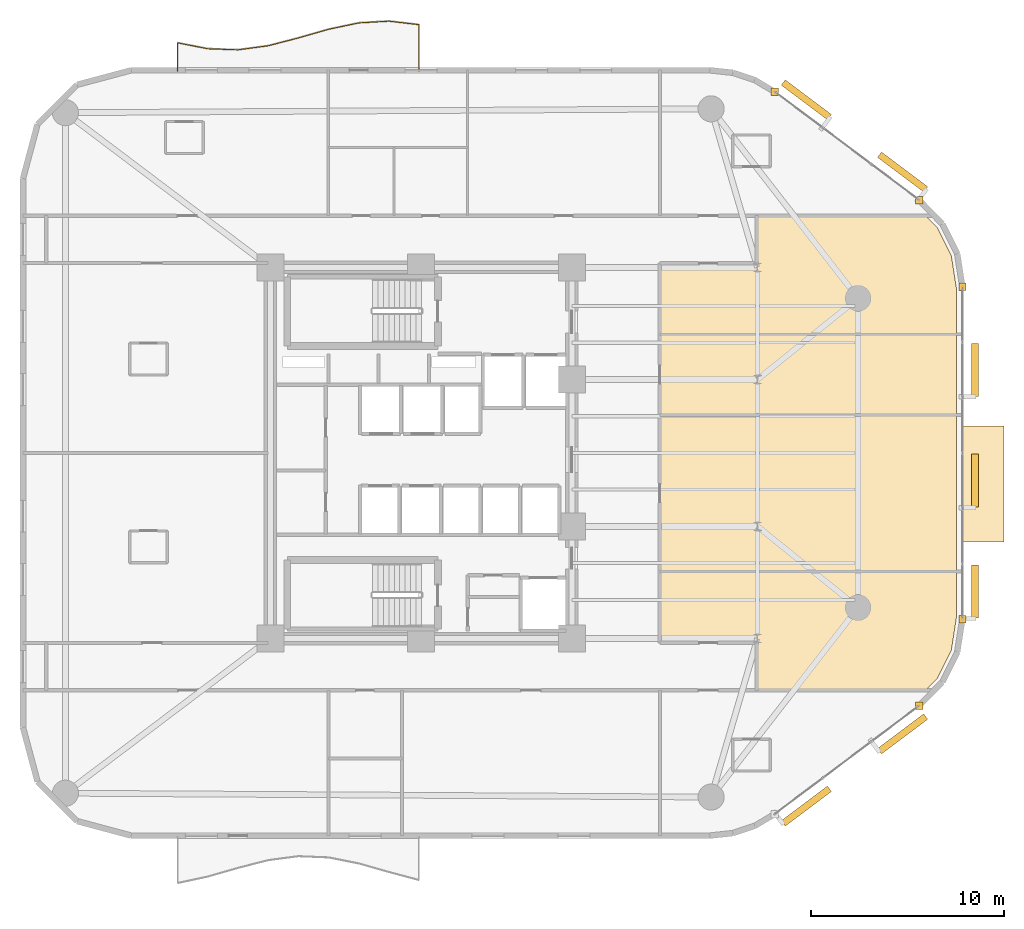
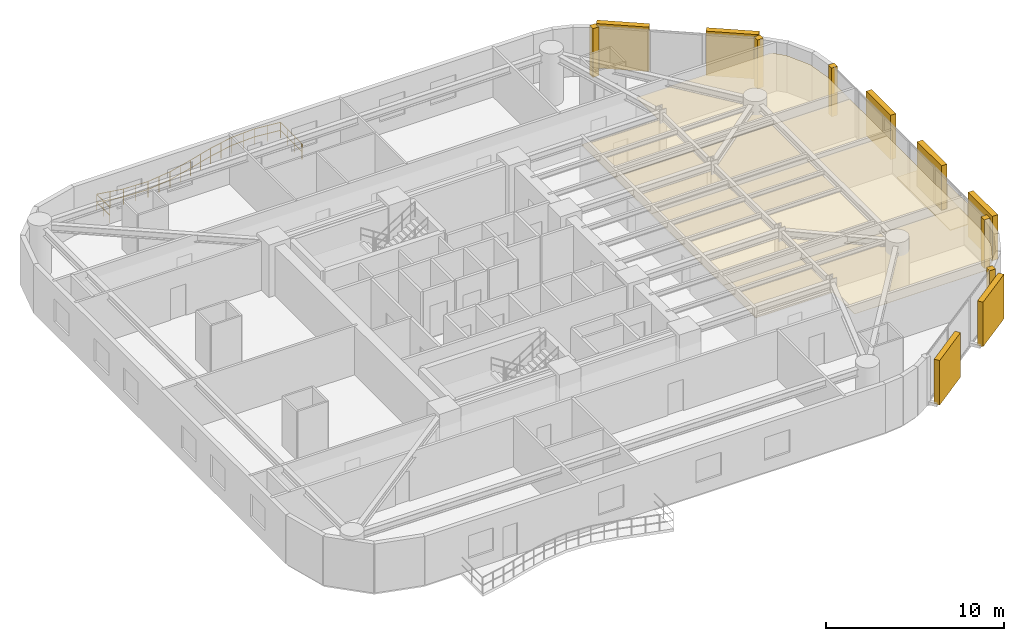
# One storey, part 15 of 15: 10 coverings, 7 shading devices, 1 railing.
"""IFC4 building model written with IfcOpenShell, lengths in metres."""

from ifc_helpers import new_model, si_unit, direction, frame, origin, origin_2d, place, context, subcontext, project, spatial, polyline, rectangle, circle, outline, extrude, material, layer, layer_set, type_object, element, save


model = new_model("IFC4")

# Units and contexts
model_context = context("Model", 3, precision=1e-05, world=origin(), true_north=direction((0.0, 1.0)))
body_context = subcontext(model_context, "Body", "Model", "MODEL_VIEW")
ifc_project = project(units=[si_unit("LENGTHUNIT", "METRE"), si_unit("AREAUNIT", "SQUARE_METRE"), si_unit("VOLUMEUNIT", "CUBIC_METRE"), si_unit("PLANEANGLEUNIT", "RADIAN"), si_unit("MASSUNIT", "GRAM", prefix="KILO")], contexts=[model_context])

# Site, building, storey
site_placement = place(None, origin())
site = spatial("IfcSite", under=ifc_project, at=site_placement, CompositionType="ELEMENT")
building_placement = place(site_placement, origin())
building = spatial("IfcBuilding", under=site, at=building_placement, Name="An Khanh Terracotta Commons", CompositionType="ELEMENT")
storey_placement = place(building_placement, frame((0.0, 0.0, 129.5)))
storey = spatial("IfcBuildingStorey", under=building, at=storey_placement, Name="L34", CompositionType="ELEMENT", Elevation=129.5)

# Coverings
ifc_material_1 = material(Name="Perforated Mineral-Fibre Acoustic Tile")
ifc_layer_1 = layer(ifc_material_1, 0.02001953125, Name="Perforated Mineral-Fibre Acoustic Tile")
ifc_layer_set_1 = layer_set([ifc_layer_1], Name="Perforated Mineral-Fibre Acoustic Tile")
covering_type_1 = type_object("IfcCoveringType", Name="CEIL-ACOUSTIC-18", PredefinedType="CEILING", material=ifc_layer_set_1)
covering_1_placement = place(storey_placement, frame((0.0, 0.0, 2.64990234375)))
element("IfcCovering", 1, at=covering_1_placement, inside=storey, type_object=covering_type_1, Name="L34 Collaborative Study Lounge Ceiling", PredefinedType="CEILING", context=body_context, shape_type="SweptSolid", body=[
    extrude(outline(polyline([(57.080078125, 15.425048828125), (56.825927734375, 13.7939453125), (56.10009765625, 12.342041015625), (55.492919921875, 11.719970703125), (46.75, 11.719970703125), (46.75, 14.179931640625), (41.75, 14.179931640625), (41.75, 17.860107421875), (57.080078125, 17.860107421875), (57.080078125, 15.425048828125)])), origin(), (0.0, 0.0, 1.0), 0.02001953125),
])
covering_2_placement = place(storey_placement, frame((0.0, 0.0, 2.64990234375)))
element("IfcCovering", 2, at=covering_2_placement, inside=storey, type_object=covering_type_1, Name="L34 Riverfront Reading Hall Ceiling", PredefinedType="CEILING", context=body_context, shape_type="SweptSolid", body=[
    extrude(outline(polyline([(57.080078125, 17.860107421875), (41.75, 17.860107421875), (41.75, 25.965087890625), (57.080078125, 25.965087890625), (57.080078125, 17.860107421875)])), origin(), (0.0, 0.0, 1.0), 0.02001953125),
])
covering_3_placement = place(storey_placement, frame((0.0, 0.0, 2.64990234375)))
element("IfcCovering", 3, at=covering_3_placement, inside=storey, type_object=covering_type_1, Name="L34 Collaborative Study Lounge Ceiling", PredefinedType="CEILING", context=body_context, shape_type="SweptSolid", body=[
    extrude(outline(polyline([(57.080078125, 25.965087890625), (41.75, 25.965087890625), (41.75, 30.139892578125), (57.080078125, 30.139892578125), (57.080078125, 25.965087890625)])), origin(), (0.0, 0.0, 1.0), 0.02001953125),
])
covering_4_placement = place(storey_placement, frame((0.0, 0.0, 2.64990234375)))
element("IfcCovering", 4, at=covering_4_placement, inside=storey, type_object=covering_type_1, Name="L34 Collaborative Study Lounge Ceiling", PredefinedType="CEILING", context=body_context, shape_type="SweptSolid", body=[
    extrude(outline(polyline([(56.10009765625, 35.657958984375), (56.825927734375, 34.2060546875), (57.080078125, 32.574951171875), (57.080078125, 30.139892578125), (41.75, 30.139892578125), (41.75, 33.820068359375), (46.75, 33.820068359375), (46.75, 36.280029296875), (55.492919921875, 36.280029296875), (56.10009765625, 35.657958984375)])), origin(), (0.0, 0.0, 1.0), 0.02001953125),
])
ifc_material_2 = material(Name="Fired Terracotta Rainscreen Cladding", Category="masonry")
ifc_layer_2 = layer(ifc_material_2, 0.080078125, Name="Fired Terracotta Rainscreen Cladding")
ifc_layer_set_2 = layer_set([ifc_layer_2], Name="Fired Terracotta Rainscreen Cladding")
covering_type_2 = type_object("IfcCoveringType", Name="COV-JAMB-TERRA", PredefinedType="CLADDING", material=ifc_layer_set_2)
for number, where, z_axis, x_axis, name in (
    (5, (55.159912109375, 10.919921875, 0.0), (0.0, 0.0, 1.0), (1.0, 0.0, 0.0), "L34 CW-02 Curtain-Wall Jamb Closure JB"),
    (6, (57.39990234375, 15.39990234375, 0.0), (0.0, 0.0, 1.0), (1.0, 0.0, 0.0), "L34 CW-02 Curtain-Wall Jamb Closure JA"),
    (7, (57.39990234375, 32.60009765625, 0.0), (0.0, 0.0, 1.0), (1.0, 0.0, 0.0), "L34 CW-02 Curtain-Wall Jamb Closure JB"),
    (8, (55.159912109375, 37.080078125, 0.0), (0.0, 0.0, 1.0), (1.0, 0.0, 0.0), "L34 CW-02 Curtain-Wall Jamb Closure JA"),
    (9, (47.693115234375, 42.679931640625, 0.0), (0.0, 0.0, 1.0), (1.0, 0.0, 0.0), "L34 CW-02 Curtain-Wall Jamb Closure JB"),
):
    element("IfcCovering", number, at=place(storey_placement, frame(where, z_axis=z_axis, x_axis=x_axis)), inside=storey, type_object=covering_type_2, Name=name, PredefinedType="CLADDING", context=body_context, shape_type="SweptSolid", body=[
        extrude(rectangle(XDim=0.3798828125, YDim=0.3798828125, at=origin_2d()), origin(), (0.0, 0.0, 1.0), 3.360107421875),
    ])
ifc_material_3 = material(Name="Planted Garden Waterproofing Membrane")
ifc_layer_3 = layer(ifc_material_3, 0.080078125, Name="Planted Garden Waterproofing Membrane")
ifc_layer_set_3 = layer_set([ifc_layer_3], Name="Planted Garden Waterproofing Membrane")
covering_type_3 = type_object("IfcCoveringType", Name="COV-ROOFING-GREEN", PredefinedType="ROOFING", material=ifc_layer_set_3)
covering_5_placement = place(storey_placement, origin())
element("IfcCovering", 10, at=covering_5_placement, inside=storey, type_object=covering_type_3, Name="L34 Shifted Box Roof Waterproofing (L33)", PredefinedType="ROOFING", context=body_context, shape_type="SweptSolid", body=[
    extrude(outline(polyline([(57.39990234375, 19.39990234375), (59.550048828125, 19.39990234375), (59.550048828125, 25.39990234375), (57.39990234375, 25.39990234375), (57.39990234375, 19.39990234375)])), origin(), (0.0, 0.0, 1.0), 0.06005859375),
])

# Railing
ifc_material_4 = material(Name="Brushed Stainless Steel 316", Category="steel")
railing_type = type_object("IfcRailingType", Name="RAIL-BALUSTRADE-1100", PredefinedType="BALUSTRADE", material=ifc_material_4)
railing_placement = place(storey_placement, frame((29.300048828125, 43.739990234375, 0.0)))
element("IfcRailing", 11, at=railing_placement, inside=storey, type_object=railing_type, Name="L34 N Wave Balcony Guard Balustrade", PredefinedType="BALUSTRADE", context=body_context, shape_type="SweptSolid", body=[
    extrude(circle(Radius=0.02392578125, at=origin_2d()), frame((0.0, 0.0, 1.076171875), z_axis=(0.0, 1.0, 0.0), x_axis=(-1.0, 0.0, 0.0)), (0.0, 0.0, 1.0), 2.4140625),
    extrude(circle(Radius=0.02392578125, at=origin_2d()), frame((0.0, 0.0, 0.52587890625), z_axis=(0.0, 1.0, 0.0), x_axis=(-1.0, 0.0, 0.0)), (0.0, 0.0, 1.0), 2.4140625),
    extrude(circle(Radius=0.02392578125, at=origin_2d()), frame((0.0, 2.4140625, 1.076171875), z_axis=(-0.993288727439, 0.115661160041, 0.0), x_axis=(-0.115661160041, -0.993288727439, 0.0)), (0.0, 0.0, 1.0), 1.572509765625),
    extrude(circle(Radius=0.02392578125, at=origin_2d()), frame((0.0, 2.4140625, 0.52587890625), z_axis=(-0.993288727439, 0.115661160041, 0.0), x_axis=(-0.115661160041, -0.993288727439, 0.0)), (0.0, 0.0, 1.0), 1.572509765625),
    extrude(circle(Radius=0.02392578125, at=origin_2d()), frame((-1.56201171875, 2.595947265625, 1.076171875), z_axis=(-0.998351990592, -0.057387305926, 0.0), x_axis=(0.057387305926, -0.998351990592, 0.0)), (0.0, 0.0, 1.0), 1.565673828125),
    extrude(circle(Radius=0.02392578125, at=origin_2d()), frame((-1.56201171875, 2.595947265625, 0.52587890625), z_axis=(-0.998351990592, -0.057387305926, 0.0), x_axis=(0.057387305926, -0.998351990592, 0.0)), (0.0, 0.0, 1.0), 1.565673828125),
    extrude(circle(Radius=0.02392578125, at=origin_2d()), frame((-3.125, 2.506103515625, 1.076171875), z_axis=(-0.978393744079, -0.206750287902, 0.0), x_axis=(0.206750287902, -0.978393744079, 0.0)), (0.0, 0.0, 1.0), 1.596435546875),
    extrude(circle(Radius=0.02392578125, at=origin_2d()), frame((-3.125, 2.506103515625, 0.52587890625), z_axis=(-0.978393744079, -0.206750287902, 0.0), x_axis=(0.206750287902, -0.978393744079, 0.0)), (0.0, 0.0, 1.0), 1.596435546875),
    extrude(circle(Radius=0.02392578125, at=origin_2d()), frame((-4.68701171875, 2.176025390625, 1.076171875), z_axis=(-0.961291288809, -0.275534132297, 0.0), x_axis=(0.275534132297, -0.961291288809, 0.0)), (0.0, 0.0, 1.0), 1.6259765625),
    extrude(circle(Radius=0.02392578125, at=origin_2d()), frame((-4.68701171875, 2.176025390625, 0.52587890625), z_axis=(-0.961291288809, -0.275534132297, 0.0), x_axis=(0.275534132297, -0.961291288809, 0.0)), (0.0, 0.0, 1.0), 1.6259765625),
    extrude(circle(Radius=0.02392578125, at=origin_2d()), frame((-6.25, 1.72802734375, 1.076171875), z_axis=(-0.968134261873, -0.250431729196, 0.0), x_axis=(0.250431729196, -0.968134261873, 0.0)), (0.0, 0.0, 1.0), 1.613525390625),
    extrude(circle(Radius=0.02392578125, at=origin_2d()), frame((-6.25, 1.72802734375, 0.52587890625), z_axis=(-0.968134261873, -0.250431729196, 0.0), x_axis=(0.250431729196, -0.968134261873, 0.0)), (0.0, 0.0, 1.0), 1.613525390625),
    extrude(circle(Radius=0.02392578125, at=origin_2d()), frame((-7.81201171875, 1.323974609375, 1.076171875), z_axis=(-0.990933485339, -0.134353368521, 0.0), x_axis=(0.134353368521, -0.990933485339, 0.0)), (0.0, 0.0, 1.0), 1.577392578125),
    extrude(circle(Radius=0.02392578125, at=origin_2d()), frame((-7.81201171875, 1.323974609375, 0.52587890625), z_axis=(-0.990933485339, -0.134353368521, 0.0), x_axis=(0.134353368521, -0.990933485339, 0.0)), (0.0, 0.0, 1.0), 1.577392578125),
    extrude(circle(Radius=0.02392578125, at=origin_2d()), frame((-9.375, 1.112060546875, 1.076171875), z_axis=(-0.999337536962, 0.036393505175, 0.0), x_axis=(-0.036393505175, -0.999337536962, 0.0)), (0.0, 0.0, 1.0), 1.56298828125),
    extrude(circle(Radius=0.02392578125, at=origin_2d()), frame((-9.375, 1.112060546875, 0.52587890625), z_axis=(-0.999337536962, 0.036393505175, 0.0), x_axis=(-0.036393505175, -0.999337536962, 0.0)), (0.0, 0.0, 1.0), 1.56298828125),
    extrude(circle(Radius=0.02392578125, at=origin_2d()), frame((-10.93701171875, 1.1689453125, 1.076171875), z_axis=(-0.981351187665, 0.192223428512, 0.0), x_axis=(-0.192223428512, -0.981351187665, 0.0)), (0.0, 0.0, 1.0), 1.5927734375),
    extrude(circle(Radius=0.02392578125, at=origin_2d()), frame((-10.93701171875, 1.1689453125, 0.52587890625), z_axis=(-0.981351187665, 0.192223428512, 0.0), x_axis=(-0.192223428512, -0.981351187665, 0.0)), (0.0, 0.0, 1.0), 1.5927734375),
    extrude(circle(Radius=0.02392578125, at=origin_2d()), frame((-12.5, 1.47509765625, 1.076171875), z_axis=(0.0, -1.0, 0.0), x_axis=(1.0, 0.0, 0.0)), (0.0, 0.0, 1.0), 1.47509765625),
    extrude(circle(Radius=0.02392578125, at=origin_2d()), frame((-12.5, 1.47509765625, 0.52587890625), z_axis=(0.0, -1.0, 0.0), x_axis=(1.0, 0.0, 0.0)), (0.0, 0.0, 1.0), 1.47509765625),
    extrude(circle(Radius=0.02099609375, at=origin_2d()), origin(), (0.0, 0.0, 1.0), 1.052001953125),
    extrude(circle(Radius=0.02099609375, at=origin_2d()), frame((0.0, 0.8046875, 0.0)), (0.0, 0.0, 1.0), 1.052001953125),
    extrude(circle(Radius=0.02099609375, at=origin_2d()), frame((0.0, 1.609375, 0.0)), (0.0, 0.0, 1.0), 1.052001953125),
    extrude(circle(Radius=0.02099609375, at=origin_2d()), frame((0.0, 2.4140625, 0.0)), (0.0, 0.0, 1.0), 1.052001953125),
    extrude(circle(Radius=0.02099609375, at=origin_2d()), frame((-0.781005859375, 2.5048828125, 0.0)), (0.0, 0.0, 1.0), 1.052001953125),
    extrude(circle(Radius=0.02099609375, at=origin_2d()), frame((-1.56201171875, 2.595947265625, 0.0)), (0.0, 0.0, 1.0), 1.052001953125),
    extrude(circle(Radius=0.02099609375, at=origin_2d()), frame((-2.343505859375, 2.551025390625, 0.0)), (0.0, 0.0, 1.0), 1.052001953125),
    extrude(circle(Radius=0.02099609375, at=origin_2d()), frame((-3.125, 2.506103515625, 0.0)), (0.0, 0.0, 1.0), 1.052001953125),
    extrude(circle(Radius=0.02099609375, at=origin_2d()), frame((-3.906005859375, 2.341064453125, 0.0)), (0.0, 0.0, 1.0), 1.052001953125),
    extrude(circle(Radius=0.02099609375, at=origin_2d()), frame((-4.68701171875, 2.176025390625, 0.0)), (0.0, 0.0, 1.0), 1.052001953125),
    extrude(circle(Radius=0.02099609375, at=origin_2d()), frame((-5.468505859375, 1.9521484375, 0.0)), (0.0, 0.0, 1.0), 1.052001953125),
    extrude(circle(Radius=0.02099609375, at=origin_2d()), frame((-6.25, 1.72802734375, 0.0)), (0.0, 0.0, 1.0), 1.052001953125),
    extrude(circle(Radius=0.02099609375, at=origin_2d()), frame((-7.031005859375, 1.52587890625, 0.0)), (0.0, 0.0, 1.0), 1.052001953125),
    extrude(circle(Radius=0.02099609375, at=origin_2d()), frame((-7.81201171875, 1.323974609375, 0.0)), (0.0, 0.0, 1.0), 1.052001953125),
    extrude(circle(Radius=0.02099609375, at=origin_2d()), frame((-8.593505859375, 1.218017578125, 0.0)), (0.0, 0.0, 1.0), 1.052001953125),
    extrude(circle(Radius=0.02099609375, at=origin_2d()), frame((-9.375, 1.112060546875, 0.0)), (0.0, 0.0, 1.0), 1.052001953125),
    extrude(circle(Radius=0.02099609375, at=origin_2d()), frame((-10.156005859375, 1.140625, 0.0)), (0.0, 0.0, 1.0), 1.052001953125),
    extrude(circle(Radius=0.02099609375, at=origin_2d()), frame((-10.93701171875, 1.1689453125, 0.0)), (0.0, 0.0, 1.0), 1.052001953125),
    extrude(circle(Radius=0.02099609375, at=origin_2d()), frame((-11.718505859375, 1.322021484375, 0.0)), (0.0, 0.0, 1.0), 1.052001953125),
    extrude(circle(Radius=0.02099609375, at=origin_2d()), frame((-12.5, 1.47509765625, 0.0)), (0.0, 0.0, 1.0), 1.052001953125),
    extrude(circle(Radius=0.02099609375, at=origin_2d()), frame((-12.5, 0.737548828125, 0.0)), (0.0, 0.0, 1.0), 1.052001953125),
    extrude(circle(Radius=0.02099609375, at=origin_2d()), frame((-12.5, 0.0, 0.0)), (0.0, 0.0, 1.0), 1.052001953125),
])

# Shading devices
ifc_material_5 = material(Name="Extruded Fired Terracotta", Category="masonry")
shading_device_type = type_object("IfcShadingDeviceType", Name="Terracotta Baguette Screen Assembly", PredefinedType="USERDEFINED", material=ifc_material_5)
for number, where, z_axis, x_axis, name in (
    (12, (49.326904296875, 5.73291015625, 0.14990234375), (0.0, 0.0, 1.0), (0.800012856594, 0.599982857492, 0.0), "L34 Terracotta Baguette Screen 1"),
    (13, (54.304931640625, 9.467041015625, 0.14990234375), (0.0, 0.0, 1.0), (0.800012856594, 0.599982857492, 0.0), "L34 Terracotta Baguette Screen 3"),
):
    element("IfcShadingDevice", number, at=place(storey_placement, frame(where, z_axis=z_axis, x_axis=x_axis)), inside=storey, type_object=shading_device_type, Name=name, ObjectType="BAGUETTE", PredefinedType="USERDEFINED", context=body_context, shape_type="SweptSolid", body=[
        extrude(rectangle(XDim=2.990966796875, YDim=0.35009765625, at=origin_2d()), origin(), (0.0, 0.0, 1.0), 3.06005859375),
    ])
for number, where, z_axis, x_axis, name in (
    (14, (58.050048828125, 16.8330078125, 0.14990234375), (0.0, 0.0, 1.0), (0.0, 1.0, 0.0), "L34 Terracotta Baguette Screen 1"),
    (15, (58.050048828125, 22.56689453125, 0.14990234375), (0.0, 0.0, 1.0), (0.0, 1.0, 0.0), "L34 Terracotta Baguette Screen 3"),
    (16, (58.050048828125, 28.300048828125, 0.14990234375), (0.0, 0.0, 1.0), (0.0, 1.0, 0.0), "L34 Terracotta Baguette Screen 5"),
):
    element("IfcShadingDevice", number, at=place(storey_placement, frame(where, z_axis=z_axis, x_axis=x_axis)), inside=storey, type_object=shading_device_type, Name=name, ObjectType="BAGUETTE", PredefinedType="USERDEFINED", context=body_context, shape_type="SweptSolid", body=[
        extrude(rectangle(XDim=2.7470703125, YDim=0.35009765625, at=origin_2d()), origin(), (0.0, 0.0, 1.0), 3.06005859375),
    ])
for number, where, z_axis, x_axis, name in (
    (17, (54.304931640625, 38.532958984375, 0.14990234375), (0.0, 0.0, 1.0), (-0.800012856594, 0.599982857492, 0.0), "L34 Terracotta Baguette Screen 1"),
    (18, (49.326904296875, 42.26708984375, 0.14990234375), (0.0, 0.0, 1.0), (-0.800012856594, 0.599982857492, 0.0), "L34 Terracotta Baguette Screen 3"),
):
    element("IfcShadingDevice", number, at=place(storey_placement, frame(where, z_axis=z_axis, x_axis=x_axis)), inside=storey, type_object=shading_device_type, Name=name, ObjectType="BAGUETTE", PredefinedType="USERDEFINED", context=body_context, shape_type="SweptSolid", body=[
        extrude(rectangle(XDim=2.990966796875, YDim=0.35009765625, at=origin_2d()), origin(), (0.0, 0.0, 1.0), 3.06005859375),
    ])

save(model, "model.ifc")
